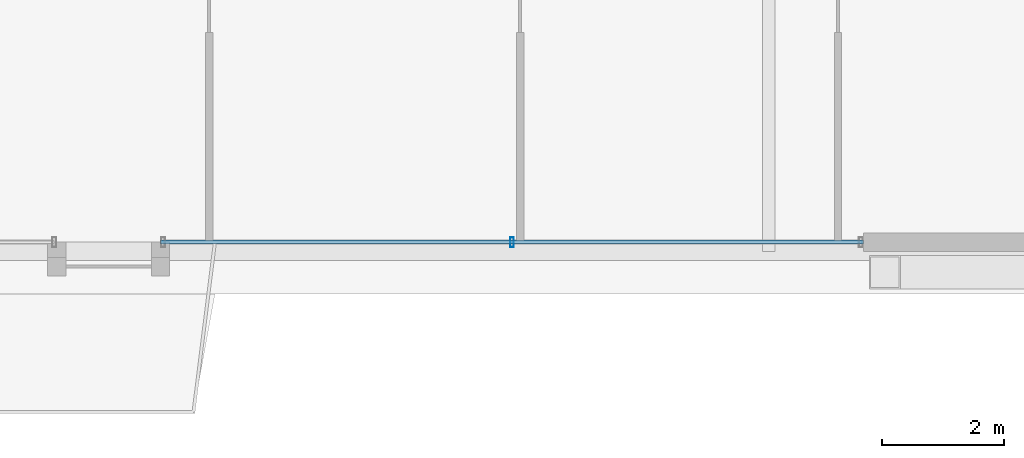
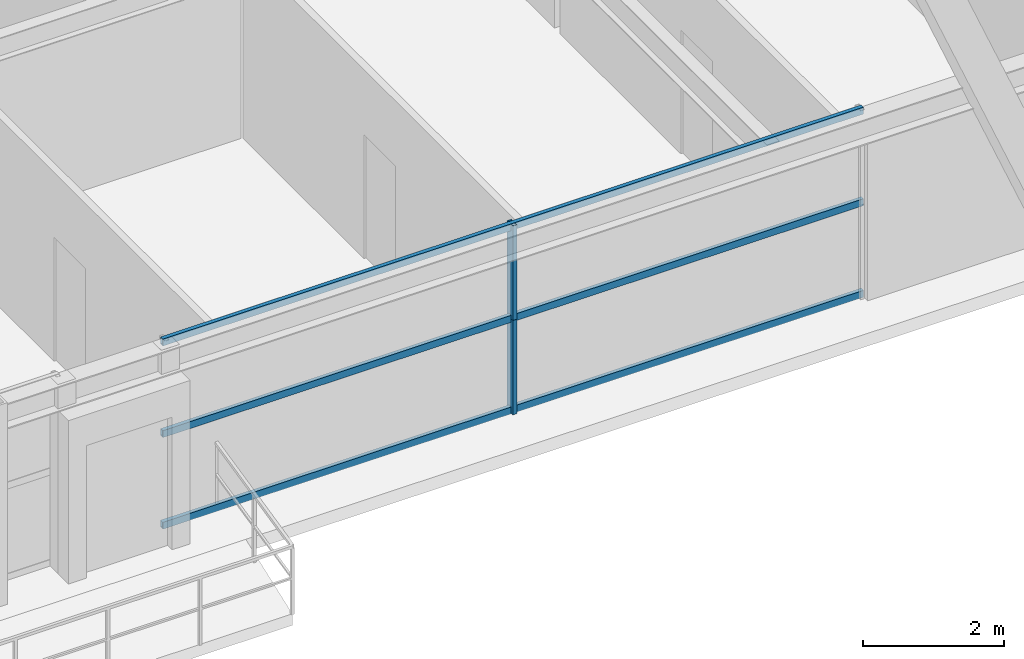
# One storey, part 12 of 45: 5 members, 1 element without a shape of its own.
"""IFC4 building model written with IfcOpenShell, lengths in metres."""

import ifcopenshell
import ifcopenshell.guid

model = None  # the IFC model being written
_history = None  # IfcOwnerHistory: only IFC2X3 demands one
_inside = {}  # id of a spatial element -> (the spatial element, [elements in it])
_under = {}  # id of a project, library or spatial element -> (it, [spatial elements below it])
_declared = {}  # id of a project -> (the project, [libraries it declares])
_typed = {}  # id of a type object -> (the type object, [elements of that type])
_made_of = {}  # id of a material, layer set ... -> (it, [elements and type objects made of it])


def new_model(schema):
    """Start an empty IFC model of exactly this schema.

    Asked for "IFC4X3", IfcOpenShell would pick the latest addendum, in which some entities
    have other attributes; the version numbers below select the first issue.
    IFC2X3 requires an IfcOwnerHistory on every rooted entity: one is made here for all.
    """
    global model, _history
    if schema == "IFC4X3":
        model = ifcopenshell.file(schema_version=(4, 3, 0, 0))
    else:
        model = ifcopenshell.file(schema=schema)
    _inside.clear()
    _under.clear()
    _declared.clear()
    _typed.clear()
    _made_of.clear()
    _history = None
    if model.schema == "IFC2X3":
        org = make("IfcOrganization", Name="unknown")
        user = make(
            "IfcPersonAndOrganization",
            ThePerson=make("IfcPerson", FamilyName="unknown"),
            TheOrganization=org,
        )
        app = make(
            "IfcApplication",
            ApplicationDeveloper=org,
            Version="unknown",
            ApplicationFullName="unknown",
            ApplicationIdentifier="unknown",
        )
        _history = make(
            "IfcOwnerHistory",
            OwningUser=user,
            OwningApplication=app,
            ChangeAction="ADDED",
            CreationDate=0,
        )
    return model


def make(cls, **values):
    """One entity of the class cls with the attributes given. An attribute that is None is left unset."""
    return model.create_entity(
        cls, **{name: value for name, value in values.items() if value is not None}
    )


def rooted(cls, **values):
    """An entity with a GlobalId (a new one), such as an element, a storey or a relation."""
    return make(cls, GlobalId=ifcopenshell.guid.new(), OwnerHistory=_history, **values)


def si_unit(unit_type, name, prefix=None):
    """IfcSIUnit, for example si_unit("LENGTHUNIT", "METRE", prefix="MILLI")."""
    return make("IfcSIUnit", UnitType=unit_type, Prefix=prefix, Name=name)


def assignment(units):
    """IfcUnitAssignment: the units of a project."""
    return None if units is None else make("IfcUnitAssignment", Units=units)


def point(xyz):
    """IfcCartesianPoint."""
    return None if xyz is None else make("IfcCartesianPoint", Coordinates=xyz)


def direction(xyz):
    """IfcDirection."""
    return None if xyz is None else make("IfcDirection", DirectionRatios=xyz)


def frame(location, z_axis=None, x_axis=None):
    """IfcAxis2Placement3D, a coordinate frame: its origin and axes. An axis left out is left unset."""
    return make(
        "IfcAxis2Placement3D",
        Location=point(location),
        Axis=direction(z_axis),
        RefDirection=direction(x_axis),
    )


def frame_2d(location, x_axis=None):
    """IfcAxis2Placement2D, a coordinate frame in the plane: its origin and x axis."""
    return make(
        "IfcAxis2Placement2D", Location=point(location), RefDirection=direction(x_axis)
    )


def origin():
    """The frame at (0, 0, 0) with its axes left unset."""
    return frame((0.0, 0.0, 0.0))


def origin_2d():
    """The frame at (0, 0) in the plane with its x axis left unset."""
    return frame_2d((0.0, 0.0))


def place(relative_to, where):
    """IfcLocalPlacement: puts the frame where relative to a parent placement (None: the world)."""
    return make(
        "IfcLocalPlacement", PlacementRelTo=relative_to, RelativePlacement=where
    )


def context(
    kind, dimensions, precision=None, world=None, true_north=None, identifier=None
):
    """IfcGeometricRepresentationContext, for example the 3D "Model" context."""
    return make(
        "IfcGeometricRepresentationContext",
        ContextIdentifier=identifier,
        ContextType=kind,
        CoordinateSpaceDimension=dimensions,
        Precision=precision,
        WorldCoordinateSystem=world,
        TrueNorth=true_north,
    )


def subcontext(parent, identifier, kind, view, scale=None):
    """IfcGeometricRepresentationSubContext, for example "Body" below "Model"."""
    return make(
        "IfcGeometricRepresentationSubContext",
        ContextIdentifier=identifier,
        ContextType=kind,
        ParentContext=parent,
        TargetScale=scale,
        TargetView=view,
    )


def project(units=None, contexts=None):
    """IfcProject with its units and contexts."""
    return rooted(
        "IfcProject",
        Name="project",
        RepresentationContexts=contexts,
        UnitsInContext=assignment(units),
    )


def spatial(cls, under=None, at=None, **own):
    """A site, building, storey or space (cls), placed at a placement, below another one or the project."""
    s = rooted(cls, ObjectPlacement=at, **own)
    if under is not None:
        _under.setdefault(under.id(), (under, []))[1].append(s)
    return s


def profile(cls, at=None, kind="AREA", **sizes):
    """A parametric profile (cls). Its sizes go by their IFC names, for example OverallWidth=200.0."""
    return make(cls, ProfileType=kind, Position=at, **sizes)


def hollow_rectangle(**sizes):
    """IfcRectangleHollowProfileDef."""
    return profile("IfcRectangleHollowProfileDef", **sizes)


def extrude(swept, where, along, depth):
    """IfcExtrudedAreaSolid: the profile swept, set in the frame where, extruded along a direction by depth."""
    return make(
        "IfcExtrudedAreaSolid",
        SweptArea=swept,
        Position=where,
        ExtrudedDirection=direction(along),
        Depth=depth,
    )


def shape(context_of_items, identifier, shape_type, items):
    """IfcShapeRepresentation: the items that make up one representation, for example the "Body"."""
    return make(
        "IfcShapeRepresentation",
        ContextOfItems=context_of_items,
        RepresentationIdentifier=identifier,
        RepresentationType=shape_type,
        Items=items,
    )


def source(mapping_origin, context_of_items, identifier, shape_type, items):
    """IfcRepresentationMap: a shape defined once, which mapped items show again and again."""
    return make(
        "IfcRepresentationMap",
        MappingOrigin=mapping_origin,
        MappedRepresentation=shape(context_of_items, identifier, shape_type, items),
    )


def transform(
    local_origin,
    x_axis=None,
    y_axis=None,
    z_axis=None,
    scale=None,
    scale2=None,
    scale3=None,
    uniform=True,
):
    """IfcCartesianTransformationOperator3D, or its non-uniform kind. x_axis, y_axis, z_axis: its Axis1, 2, 3."""
    if uniform:
        return make(
            "IfcCartesianTransformationOperator3D",
            Axis1=direction(x_axis),
            Axis2=direction(y_axis),
            LocalOrigin=point(local_origin),
            Scale=scale,
            Axis3=direction(z_axis),
        )
    return make(
        "IfcCartesianTransformationOperator3DnonUniform",
        Axis1=direction(x_axis),
        Axis2=direction(y_axis),
        LocalOrigin=point(local_origin),
        Scale=scale,
        Axis3=direction(z_axis),
        Scale2=scale2,
        Scale3=scale3,
    )


def mapped(mapping_source, mapping_target):
    """IfcMappedItem: shows the shape of a source again, moved by a transform."""
    return make(
        "IfcMappedItem", MappingSource=mapping_source, MappingTarget=mapping_target
    )


def material(Name=None, Category=None):
    """IfcMaterial."""
    return make("IfcMaterial", Name=Name, Category=Category)


def layer(
    of_material, thickness, ventilated=None, Name=None, Category=None, Priority=None
):
    """IfcMaterialLayer: one layer of a wall or slab, of a material (None: an air gap)."""
    return make(
        "IfcMaterialLayer",
        Material=of_material,
        LayerThickness=thickness,
        IsVentilated=ventilated,
        Name=Name,
        Category=Category,
        Priority=Priority,
    )


def layer_set(layers, Name=None):
    """IfcMaterialLayerSet."""
    return make("IfcMaterialLayerSet", MaterialLayers=layers, LayerSetName=Name)


def material_profile(
    of_material, cross_section, Name=None, Category=None, Priority=None
):
    """IfcMaterialProfile: a cross section and its material."""
    return make(
        "IfcMaterialProfile",
        Name=Name,
        Material=of_material,
        Profile=cross_section,
        Priority=Priority,
        Category=Category,
    )


def profile_set(profiles, Name=None, composite=None):
    """IfcMaterialProfileSet."""
    return make(
        "IfcMaterialProfileSet",
        Name=Name,
        MaterialProfiles=profiles,
        CompositeProfile=composite,
    )


def made_of(thing, what):
    """Note that an element or type object is made of a material, layer set ...; save() writes the relation."""
    if what is not None:
        _made_of.setdefault(what.id(), (what, []))[1].append(thing)
    return thing


def type_object(cls, material=None, **own):
    """A type object (cls), such as IfcWallType, which elements share."""
    return made_of(rooted(cls, **own), material)


def element(
    cls,
    number,
    at=None,
    inside=None,
    cuts=None,
    type_object=None,
    material=None,
    context=None,
    identifier="Body",
    shape_type=None,
    held_by="IfcProductDefinitionShape",
    body=None,
    shapes=None,
    **own,
):
    """One element of the class cls, such as IfcWall. Its Tag is "e" and its number.

    at: its placement. inside: the storey or other place that contains it. cuts: it is an
    opening in that element (IfcRelVoidsElement). A single representation is given by context,
    identifier, shape_type and body (its items); several are given by shapes. held_by: the class
    of the entity that holds the representations. save() writes the other relations.
    """
    e = rooted(cls, Tag="e%d" % number, ObjectPlacement=at, **own)
    if body is not None:
        shapes = [shape(context, identifier, shape_type, body)]
    if shapes is not None:
        e.Representation = make(held_by, Representations=shapes)
    if inside is not None:
        _inside.setdefault(inside.id(), (inside, []))[1].append(e)
    if cuts is not None:
        rooted(
            "IfcRelVoidsElement", RelatingBuildingElement=cuts, RelatedOpeningElement=e
        )
    if type_object is not None:
        _typed.setdefault(type_object.id(), (type_object, []))[1].append(e)
    return made_of(e, material)


def aggregate(whole, parts):
    """IfcRelAggregates: a whole, such as a stair, and the parts it consists of."""
    return rooted("IfcRelAggregates", RelatingObject=whole, RelatedObjects=parts)


def save(model, path):
    """Write the relations noted so far, then the file.

    IfcRelAggregates (storeys below a building ...), IfcRelContainedInSpatialStructure (elements
    in a storey), IfcRelDefinesByType, IfcRelAssociatesMaterial and IfcRelDeclares: one each for
    every whole, place, type object, material and project.
    """
    for whole, parts in _under.values():
        aggregate(whole, parts)
    for where, things in _inside.values():
        rooted(
            "IfcRelContainedInSpatialStructure",
            RelatedElements=things,
            RelatingStructure=where,
        )
    for kind, things in _typed.values():
        rooted("IfcRelDefinesByType", RelatedObjects=things, RelatingType=kind)
    for what, things in _made_of.values():
        rooted("IfcRelAssociatesMaterial", RelatedObjects=things, RelatingMaterial=what)
    for by, libraries in _declared.values():
        rooted("IfcRelDeclares", RelatingContext=by, RelatedDefinitions=libraries)
    model.write(path)


model = new_model("IFC4")

# Units and contexts
model_context = context("Model", 3, precision=1e-05, world=origin(), true_north=direction((0.0, 1.0)))
body_context = subcontext(model_context, "Body", "Model", "MODEL_VIEW")
ifc_project = project(units=[si_unit("LENGTHUNIT", "METRE"), si_unit("AREAUNIT", "SQUARE_METRE"), si_unit("VOLUMEUNIT", "CUBIC_METRE"), si_unit("PLANEANGLEUNIT", "RADIAN"), si_unit("MASSUNIT", "GRAM", prefix="KILO"), si_unit("THERMODYNAMICTEMPERATUREUNIT", "KELVIN"), si_unit("POWERUNIT", "WATT")], contexts=[model_context])

# Site, building, storey
site_placement = place(None, origin())
site = spatial("IfcSite", under=ifc_project, at=site_placement, CompositionType="ELEMENT")
building_placement = place(site_placement, origin())
building = spatial("IfcBuilding", under=site, at=building_placement, Name="Yuzanri Waterfront Tower", CompositionType="ELEMENT")
storey_placement = place(building_placement, frame((0.0, 0.0, 198.5)))
storey = spatial("IfcBuildingStorey", under=building, at=storey_placement, Name="L52", CompositionType="ELEMENT", Elevation=198.5)

# Curtain wall, members
ifc_material_1 = material(Name="Anodized Architectural Bronze", Category="metal")
ifc_layer = layer(ifc_material_1, 0.159912109375)
ifc_layer_set = layer_set([ifc_layer], Name="Anodized Architectural Bronze")
curtain_wall_type = type_object("IfcCurtainWallType", Name="Anodized Bronze Mid-Rise Residential Acoustic Unitized Curtain Wall 7200", PredefinedType="NOTDEFINED", material=ifc_layer_set)
curtain_wall_placement = place(storey_placement, origin())
curtain_wall = element("IfcCurtainWall", 1, at=curtain_wall_placement, inside=storey, type_object=curtain_wall_type, Name="L52 Curtain Wall CW-L52-SR2", PredefinedType="NOTDEFINED")
ifc_material_2 = material(Name="Anodized Architectural Bronze", Category="metal")
ifc_material_profile_1 = material_profile(ifc_material_2, hollow_rectangle(XDim=0.06494140625, YDim=0.159912109375, WallThickness=0.00341796875, at=origin_2d()), Name="CWM 65x160")
ifc_profile_set_1 = profile_set([ifc_material_profile_1], Name="Anodized Architectural Bronze")
member_type_1 = type_object("IfcMemberType", Name="Anodized Bronze Upper-Zone Curtain-Wall Mullion 65x160", PredefinedType="MULLION", material=ifc_profile_set_1)
shared_shape_1 = source(origin(), body_context, "Body", "SweptSolid", [
    extrude(hollow_rectangle(XDim=0.06494140625, YDim=0.159912109375, WallThickness=0.00341796875, at=origin_2d()), origin(), (0.0, 0.0, 1.0), 1.637939453125),
])
member_1_placement = place(storey_placement, frame((46.0, 3.85009765625, 0.0), z_axis=(0.0, 0.0, 1.0), x_axis=(1.0, 0.0, 0.0)))
member_1 = element("IfcMember", 2, at=member_1_placement, type_object=member_type_1, Name="CW-L52-SR2 Lower Mullion 01", PredefinedType="MULLION", context=body_context, shape_type="MappedRepresentation", body=[
    mapped(shared_shape_1, transform((0.0, 0.0, 0.0), scale=1.0)),
])
member_2_placement = place(storey_placement, frame((46.0, 3.85009765625, 1.64208984375), z_axis=(0.0, 0.0, 1.0), x_axis=(1.0, 0.0, 0.0)))
member_2 = element("IfcMember", 3, at=member_2_placement, type_object=member_type_1, Name="CW-L52-SR2 Upper Mullion 01", PredefinedType="MULLION", context=body_context, shape_type="MappedRepresentation", body=[
    mapped(shared_shape_1, transform((0.0, 0.0, 0.0), scale=1.0)),
])
ifc_material_3 = material(Name="Anodized Architectural Bronze", Category="metal")
ifc_material_profile_2 = material_profile(ifc_material_3, hollow_rectangle(XDim=0.06494140625, YDim=0.1201171875, WallThickness=0.00341796875, at=origin_2d()), Name="CWT 65x120")
ifc_profile_set_2 = profile_set([ifc_material_profile_2], Name="Anodized Architectural Bronze")
member_type_2 = type_object("IfcMemberType", Name="Anodized Bronze Secondary Curtain-Wall Transom 65x120", PredefinedType="USERDEFINED", material=ifc_profile_set_2)
shared_shape_2 = source(origin(), body_context, "Body", "SweptSolid", [
    extrude(hollow_rectangle(XDim=0.06494140625, YDim=0.1201171875, WallThickness=0.00341796875, at=origin_2d()), origin(), (0.0, 0.0, 1.0), 11.5),
])
member_3_placement = place(storey_placement, frame((40.25, 3.85009765625, 0.050048828125), z_axis=(1.0, 0.0, 0.0), x_axis=(0.0, 1.0, 0.0)))
member_3 = element("IfcMember", 4, at=member_3_placement, type_object=member_type_2, Name="CW-L52-SR2 Transom 1", ObjectType="TRANSOM", PredefinedType="USERDEFINED", context=body_context, shape_type="MappedRepresentation", body=[
    mapped(shared_shape_2, transform((0.0, 0.0, 0.0), scale=1.0)),
])
member_4_placement = place(storey_placement, frame((40.25, 3.85009765625, 1.639892578125), z_axis=(1.0, 0.0, 0.0), x_axis=(0.0, 1.0, 0.0)))
member_4 = element("IfcMember", 5, at=member_4_placement, type_object=member_type_2, Name="CW-L52-SR2 Transom 2", ObjectType="TRANSOM", PredefinedType="USERDEFINED", context=body_context, shape_type="MappedRepresentation", body=[
    mapped(shared_shape_2, transform((0.0, 0.0, 0.0), scale=1.0)),
])
member_5_placement = place(storey_placement, frame((40.25, 3.85009765625, 3.22998046875), z_axis=(1.0, 0.0, 0.0), x_axis=(0.0, 1.0, 0.0)))
member_5 = element("IfcMember", 6, at=member_5_placement, type_object=member_type_2, Name="CW-L52-SR2 Transom 3", ObjectType="TRANSOM", PredefinedType="USERDEFINED", context=body_context, shape_type="MappedRepresentation", body=[
    mapped(shared_shape_2, transform((0.0, 0.0, 0.0), scale=1.0)),
])
aggregate(curtain_wall, [member_1, member_2, member_3, member_4, member_5])

save(model, "model.ifc")
